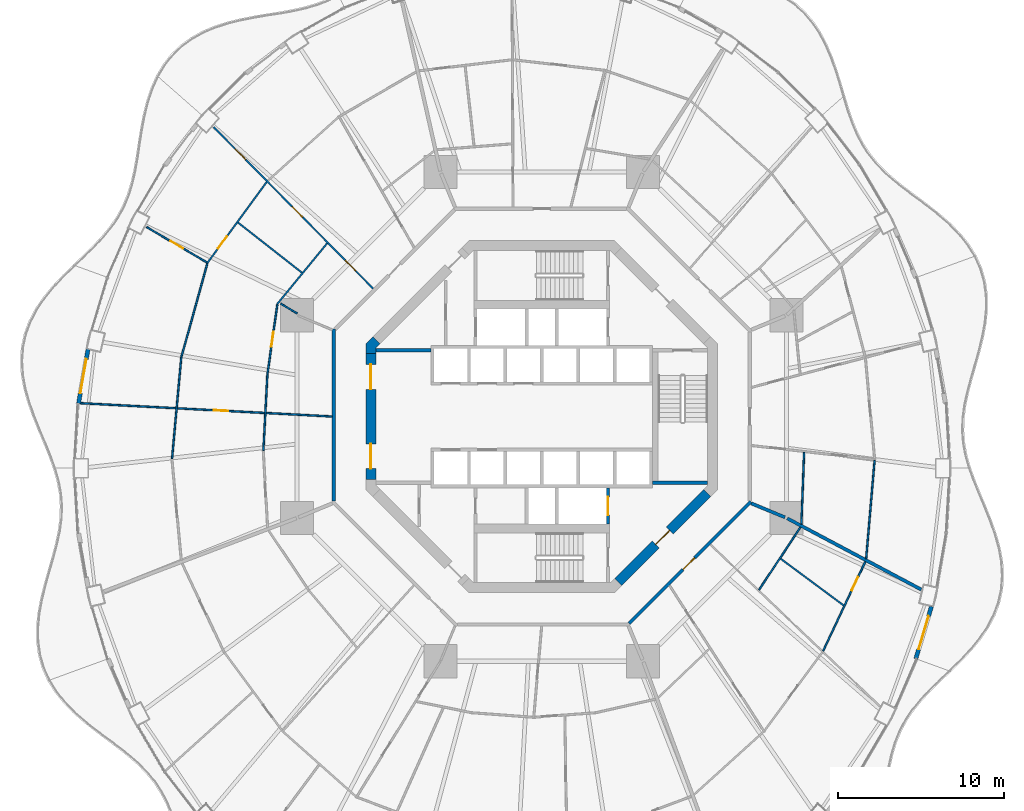
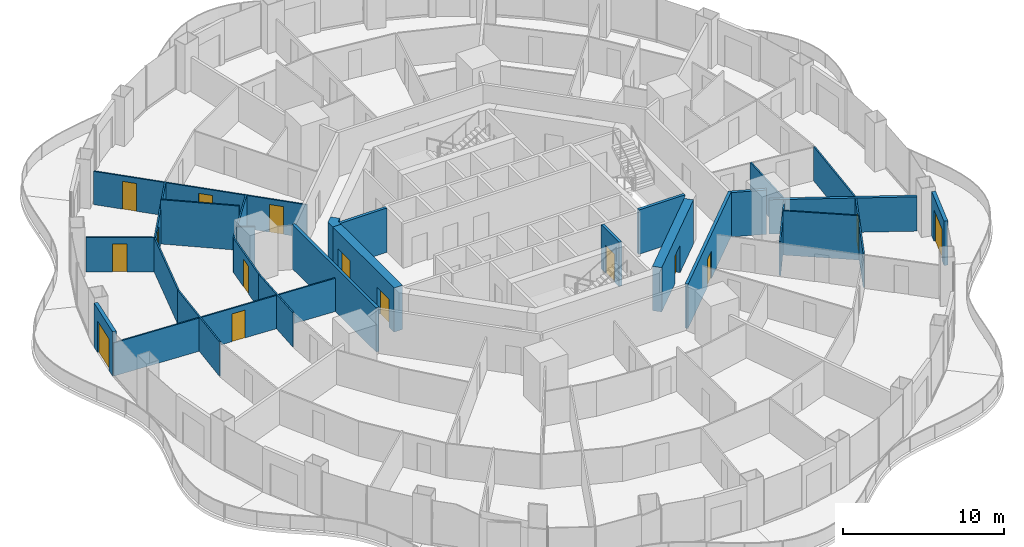
# One storey, part 15 of 21: 28 walls, 15 doors, 15 openings.
"""IFC4 building model written with IfcOpenShell, lengths in metres."""

from ifc_helpers import new_model, si_unit, direction, frame, frame_2d, origin, place, context, subcontext, project, spatial, polyline, rectangle, outline, extrude, material, layer, layer_set, type_object, element, fill, save


model = new_model("IFC4")

# Units and contexts
model_context = context("Model", 3, precision=1e-05, world=origin(), true_north=direction((0.0, 1.0)))
body_context = subcontext(model_context, "Body", "Model", "MODEL_VIEW")
ifc_project = project(units=[si_unit("LENGTHUNIT", "METRE"), si_unit("AREAUNIT", "SQUARE_METRE"), si_unit("VOLUMEUNIT", "CUBIC_METRE"), si_unit("PLANEANGLEUNIT", "RADIAN"), si_unit("MASSUNIT", "GRAM", prefix="KILO")], contexts=[model_context])

# Site, building, storey
site_placement = place(None, origin())
site = spatial("IfcSite", under=ifc_project, at=site_placement, CompositionType="ELEMENT")
building_placement = place(site_placement, origin())
building = spatial("IfcBuilding", under=site, at=building_placement, Name="Nagisa Residences", CompositionType="ELEMENT")
storey_placement = place(building_placement, frame((0.0, 0.0, 156.60009765625)))
storey = spatial("IfcBuildingStorey", under=building, at=storey_placement, Name="L39", CompositionType="ELEMENT", Elevation=156.60009765625)

# Walls
ifc_material_1 = material(Name="Gypsum board on steel studs", Category="steel")
ifc_layer_1 = layer(ifc_material_1, 0.199951171875)
ifc_layer_set_1 = layer_set([ifc_layer_1], Name="Apartment compartment wall EI60 200")
wall_type_1 = type_object("IfcWallType", Name="Apartment compartment wall EI60 200", PredefinedType="PARTITIONING", material=ifc_layer_set_1)
wall_1_placement = place(storey_placement, frame((12.6572265625, -5.24267578125, 0.0), z_axis=(0.0, 0.0, 1.0), x_axis=(0.923846436004, -0.382763324632, 0.0)))
element("IfcWall", 1, at=wall_1_placement, inside=storey, type_object=wall_type_1, Name="wall:L39:u10", PredefinedType="PARTITIONING", context=body_context, shape_type="SweptSolid", body=[
    extrude(rectangle(XDim=2.200439453125, YDim=0.199951171875, at=frame_2d((1.10009765625, 0.0))), origin(), (0.0, 0.0, 1.0), 3.349853515625),
])
wall_2_placement = place(storey_placement, frame((14.826171875, -6.146484375, 0.0), z_axis=(0.0, 0.0, 1.0), x_axis=(0.883012998471, -0.469348532044, 0.0)))
element("IfcWall", 2, at=wall_2_placement, inside=storey, type_object=wall_type_1, Name="wall:L39:u11", PredefinedType="PARTITIONING", context=body_context, shape_type="SweptSolid", body=[
    extrude(rectangle(XDim=9.172119140625, YDim=0.199951171875, at=frame_2d((4.5859375, 0.0))), origin(), (0.0, 0.0, 1.0), 2.596923828125),
])
ifc_material_2 = material(Name="Gypsum board on steel studs", Category="steel")
ifc_layer_2 = layer(ifc_material_2, 0.199951171875)
ifc_layer_set_2 = layer_set([ifc_layer_2], Name="Apartment entry wall EI60 200")
wall_type_2 = type_object("IfcWallType", Name="Apartment entry wall EI60 200", PredefinedType="PARTITIONING", material=ifc_layer_set_2)
wall_3_placement = place(storey_placement, frame((-12.564697265625, 5.304443359375, 0.0), z_axis=(0.0, 0.0, 1.0), x_axis=(0.0, -1.0, 0.0)))
element("IfcWall", 3, at=wall_3_placement, inside=storey, type_object=wall_type_2, Name="wall:L39:u16", PredefinedType="PARTITIONING", context=body_context, shape_type="SweptSolid", body=[
    extrude(rectangle(XDim=10.408935546875, YDim=0.199951171875, at=frame_2d((5.20458984375, 0.0))), origin(), (0.0, 0.0, 1.0), 3.349853515625),
])

# Wall, opening, door
wall_4_placement = place(storey_placement, frame((5.275146484375, -12.494140625, 0.0), z_axis=(0.0, 0.0, 1.0), x_axis=(0.707106781187, 0.707106781187, 0.0)))
wall_4 = element("IfcWall", 4, at=wall_4_placement, inside=storey, type_object=wall_type_2, Name="wall:L39:u19", PredefinedType="PARTITIONING", context=body_context, shape_type="SweptSolid", body=[
    extrude(rectangle(XDim=10.4091796875, YDim=0.199951171875, at=frame_2d((5.20458984375, 0.0))), origin(), (0.0, 0.0, 1.0), 3.349853515625),
])
opening_1_placement = place(wall_4_placement, frame((4.6044921875, 0.0, 0.0)))
opening_1 = element("IfcOpeningElement", 5, at=opening_1_placement, cuts=wall_4, Name="Opening L39-U01", PredefinedType="OPENING", context=body_context, shape_type="SweptSolid", body=[
    extrude(rectangle(XDim=1.0, YDim=2.10009765625, at=frame_2d((0.5, 1.050048828125))), frame((0.0, 0.10986328125, 0.0), z_axis=(0.0, -1.0, 0.0), x_axis=(1.0, 0.0, 0.0)), (0.0, 0.0, 1.0), 0.219970703125),
])
ifc_material_3 = material(Name="Timber fire door set", Category="wood")
door_type_1 = type_object("IfcDoorType", Name="Apartment entry door FD30S 1000x2100", OperationType="NOTDEFINED", PredefinedType="DOOR", material=ifc_material_3)
door_1_placement = place(opening_1_placement, frame((1.0, 0.0, 0.0), x_axis=(-1.0, 0.0, 0.0)))
door_1 = element("IfcDoor", 6, at=door_1_placement, inside=storey, type_object=door_type_1, Name="Entry door, Apartment 39A", OperationType="SINGLE_SWING_RIGHT", OverallHeight=2.10009765625, OverallWidth=1.0, PredefinedType="DOOR", context=body_context, shape_type="SweptSolid", body=[
    extrude(rectangle(XDim=1.0, YDim=2.10009765625, at=frame_2d((0.5, 1.050048828125))), frame((0.0, 0.02490234375, 0.0), z_axis=(0.0, -1.0, 0.0), x_axis=(1.0, 0.0, 0.0)), (0.0, 0.0, 1.0), 0.050048828125),
])
fill(opening_1, door_1)

# Walls
ifc_material_4 = material(Name="Gypsum board on steel studs", Category="steel")
ifc_layer_3 = layer(ifc_material_4, 0.10009765625)
ifc_layer_set_3 = layer_set([ifc_layer_3], Name="Apartment partition 100")
wall_type_3 = type_object("IfcWallType", Name="Apartment partition 100", PredefinedType="PARTITIONING", material=ifc_layer_set_3)
wall_5_placement = place(storey_placement, frame((15.848876953125, -2.158203125, 0.0), z_axis=(0.0, 0.0, 1.0), x_axis=(-0.03838348155, -0.999263082648, 0.0)))
element("IfcWall", 7, at=wall_5_placement, inside=storey, type_object=wall_type_3, Name="wall:L39:u21", PredefinedType="PARTITIONING", context=body_context, shape_type="SweptSolid", body=[
    extrude(rectangle(XDim=4.34423828125, YDim=0.10009765625, at=frame_2d((2.172119140625, 0.0))), origin(), (0.0, 0.0, 1.0), 2.596923828125),
])
wall_6_placement = place(storey_placement, frame((20.10595703125, -2.64208984375, 0.0), z_axis=(0.0, 0.0, 1.0), x_axis=(-0.085694058383, -0.996321498492, 0.0)))
element("IfcWall", 8, at=wall_6_placement, inside=storey, type_object=wall_type_3, Name="wall:L39:u23", PredefinedType="PARTITIONING", context=body_context, shape_type="SweptSolid", body=[
    extrude(rectangle(XDim=5.957275390625, YDim=0.10009765625, at=frame_2d((2.978515625, 0.0))), origin(), (0.0, 0.0, 1.0), 2.596923828125),
])

# Wall, openings, doors
wall_7_placement = place(storey_placement, frame((-10.181640625, 7.72900390625, 0.0), z_axis=(0.0, 0.0, 1.0), x_axis=(-0.702930219229, 0.7112588185, 0.0)))
wall_7 = element("IfcWall", 9, at=wall_7_placement, inside=storey, type_object=wall_type_3, Name="wall:L39:u47", PredefinedType="PARTITIONING", context=body_context, shape_type="SweptSolid", body=[
    extrude(rectangle(XDim=13.71875, YDim=0.10009765625, at=frame_2d((6.859375, 0.0))), origin(), (0.0, 0.0, 1.0), 2.514892578125),
])
opening_2_placement = place(wall_7_placement, frame((1.50732421875, 0.0, 0.0)))
opening_2 = element("IfcOpeningElement", 10, at=opening_2_placement, cuts=wall_7, Name="Opening L39-U34", PredefinedType="OPENING", context=body_context, shape_type="SweptSolid", body=[
    extrude(rectangle(XDim=0.89990234375, YDim=2.10009765625, at=frame_2d((0.449951171875, 1.050048828125))), frame((0.0, 0.06005859375, 0.0), z_axis=(0.0, -1.0, 0.0), x_axis=(1.0, 0.0, 0.0)), (0.0, 0.0, 1.0), 0.1201171875),
])
opening_3_placement = place(wall_7_placement, frame((6.066650390625, 0.0, 0.0)))
opening_3 = element("IfcOpeningElement", 11, at=opening_3_placement, cuts=wall_7, Name="Opening L39-U36", PredefinedType="OPENING", context=body_context, shape_type="SweptSolid", body=[
    extrude(rectangle(XDim=0.89990234375, YDim=2.10009765625, at=frame_2d((0.449951171875, 1.050048828125))), frame((0.0, 0.06005859375, 0.0), z_axis=(0.0, -1.0, 0.0), x_axis=(1.0, 0.0, 0.0)), (0.0, 0.0, 1.0), 0.1201171875),
])
opening_4_placement = place(wall_7_placement, frame((10.96875, 0.0, 0.0)))
opening_4 = element("IfcOpeningElement", 12, at=opening_4_placement, cuts=wall_7, Name="Opening L39-U38", PredefinedType="OPENING", context=body_context, shape_type="SweptSolid", body=[
    extrude(rectangle(XDim=0.89990234375, YDim=2.10009765625, at=frame_2d((0.449951171875, 1.050048828125))), frame((0.0, 0.06005859375, 0.0), z_axis=(0.0, -1.0, 0.0), x_axis=(1.0, 0.0, 0.0)), (0.0, 0.0, 1.0), 0.1201171875),
])
ifc_material_5 = material(Name="Timber door set", Category="wood")
door_type_2 = type_object("IfcDoorType", Name="Apartment door 900x2100", OperationType="NOTDEFINED", PredefinedType="DOOR", material=ifc_material_5)
door_2_placement = place(opening_2_placement, origin())
door_2 = element("IfcDoor", 13, at=door_2_placement, inside=storey, type_object=door_type_2, Name="Door to family bathroom, Apartment 39E", OperationType="SINGLE_SWING_RIGHT", OverallHeight=2.10009765625, OverallWidth=0.89990234375, PredefinedType="DOOR", context=body_context, shape_type="SweptSolid", body=[
    extrude(rectangle(XDim=0.89990234375, YDim=2.10009765625, at=frame_2d((0.449951171875, 1.050048828125))), frame((0.0, 0.02490234375, 0.0), z_axis=(0.0, -1.0, 0.0), x_axis=(1.0, 0.0, 0.0)), (0.0, 0.0, 1.0), 0.050048828125),
])
fill(opening_2, door_2)
door_3_placement = place(opening_3_placement, origin())
door_3 = element("IfcDoor", 14, at=door_3_placement, inside=storey, type_object=door_type_2, Name="Door to family bathroom, Apartment 39E", OperationType="SINGLE_SWING_RIGHT", OverallHeight=2.10009765625, OverallWidth=0.89990234375, PredefinedType="DOOR", context=body_context, shape_type="SweptSolid", body=[
    extrude(rectangle(XDim=0.89990234375, YDim=2.10009765625, at=frame_2d((0.449951171875, 1.050048828125))), frame((0.0, 0.02490234375, 0.0), z_axis=(0.0, -1.0, 0.0), x_axis=(1.0, 0.0, 0.0)), (0.0, 0.0, 1.0), 0.050048828125),
])
fill(opening_3, door_3)
door_4_placement = place(opening_4_placement, origin())
door_4 = element("IfcDoor", 15, at=door_4_placement, inside=storey, type_object=door_type_2, Name="Door to bedroom, Apartment 39E", OperationType="SINGLE_SWING_RIGHT", OverallHeight=2.10009765625, OverallWidth=0.89990234375, PredefinedType="DOOR", context=body_context, shape_type="SweptSolid", body=[
    extrude(rectangle(XDim=0.89990234375, YDim=2.10009765625, at=frame_2d((0.449951171875, 1.050048828125))), frame((0.0, 0.02490234375, 0.0), z_axis=(0.0, -1.0, 0.0), x_axis=(1.0, 0.0, 0.0)), (0.0, 0.0, 1.0), 0.050048828125),
])
fill(opening_4, door_4)

# Wall
wall_8_placement = place(storey_placement, frame((-12.965087890625, 10.474609375, 0.0), z_axis=(0.0, 0.0, 1.0), x_axis=(-0.634932102074, -0.772567942485, 0.0)))
element("IfcWall", 16, at=wall_8_placement, inside=storey, type_object=wall_type_3, Name="wall:L39:u48", PredefinedType="PARTITIONING", context=body_context, shape_type="SweptSolid", body=[
    extrude(rectangle(XDim=4.7822265625, YDim=0.10009765625, at=frame_2d((2.39111328125, 0.0))), origin(), (0.0, 0.0, 1.0), 2.596923828125),
])

# Wall, opening, door
wall_9_placement = place(storey_placement, frame((-16.620849609375, 14.17431640625, 0.0), z_axis=(0.0, 0.0, 1.0), x_axis=(-0.590672767272, -0.806911198338, 0.0)))
wall_9 = element("IfcWall", 17, at=wall_9_placement, inside=storey, type_object=wall_type_3, Name="wall:L39:u49", PredefinedType="PARTITIONING", context=body_context, shape_type="SweptSolid", body=[
    extrude(rectangle(XDim=6.09912109375, YDim=0.10009765625, at=frame_2d((3.049560546875, 0.0))), origin(), (0.0, 0.0, 1.0), 2.596923828125),
])
opening_5_placement = place(wall_9_placement, frame((4.07421875, 0.0, 0.0)))
opening_5 = element("IfcOpeningElement", 18, at=opening_5_placement, cuts=wall_9, Name="Opening L39-U40", PredefinedType="OPENING", context=body_context, shape_type="SweptSolid", body=[
    extrude(rectangle(XDim=0.89990234375, YDim=2.10009765625, at=frame_2d((0.449951171875, 1.050048828125))), frame((0.0, 0.06005859375, 0.0), z_axis=(0.0, -1.0, 0.0), x_axis=(1.0, 0.0, 0.0)), (0.0, 0.0, 1.0), 0.1201171875),
])
door_5_placement = place(opening_5_placement, origin())
door_5 = element("IfcDoor", 19, at=door_5_placement, inside=storey, type_object=door_type_2, Name="Door to dining room, Apartment 39E", OperationType="SINGLE_SWING_RIGHT", OverallHeight=2.10009765625, OverallWidth=0.89990234375, PredefinedType="DOOR", context=body_context, shape_type="SweptSolid", body=[
    extrude(rectangle(XDim=0.89990234375, YDim=2.10009765625, at=frame_2d((0.449951171875, 1.050048828125))), frame((0.0, 0.02490234375, 0.0), z_axis=(0.0, -1.0, 0.0), x_axis=(1.0, 0.0, 0.0)), (0.0, 0.0, 1.0), 0.050048828125),
])
fill(opening_5, door_5)

# Wall
wall_10_placement = place(storey_placement, frame((-14.490966796875, 8.69677734375, 0.0), z_axis=(0.0, 0.0, 1.0), x_axis=(-0.787139479951, 0.616775031193, 0.0)))
element("IfcWall", 20, at=wall_10_placement, inside=storey, type_object=wall_type_3, Name="wall:L39:u50", PredefinedType="PARTITIONING", context=body_context, shape_type="SweptSolid", body=[
    extrude(rectangle(XDim=4.90673828125, YDim=0.10009765625, at=frame_2d((2.453369140625, 0.0))), origin(), (0.0, 0.0, 1.0), 3.349853515625),
])

# Wall, opening, door
wall_11_placement = place(storey_placement, frame((-15.976806640625, 6.769287109375, 0.0), z_axis=(0.0, 0.0, 1.0), x_axis=(-0.140693592547, -0.990053186963, 0.0)))
wall_11 = element("IfcWall", 21, at=wall_11_placement, inside=storey, type_object=wall_type_3, Name="wall:L39:u52", PredefinedType="PARTITIONING", context=body_context, shape_type="SweptSolid", body=[
    extrude(rectangle(XDim=4.22705078125, YDim=0.10009765625, at=frame_2d((2.113525390625, 0.0))), origin(), (0.0, 0.0, 1.0), 2.596923828125),
])
opening_6_placement = place(wall_11_placement, frame((1.66357421875, 0.0, 0.0)))
opening_6 = element("IfcOpeningElement", 22, at=opening_6_placement, cuts=wall_11, Name="Opening L39-U43", PredefinedType="OPENING", context=body_context, shape_type="SweptSolid", body=[
    extrude(rectangle(XDim=0.89990234375, YDim=2.10009765625, at=frame_2d((0.449951171875, 1.050048828125))), frame((0.0, 0.06005859375, 0.0), z_axis=(0.0, -1.0, 0.0), x_axis=(1.0, 0.0, 0.0)), (0.0, 0.0, 1.0), 0.1201171875),
])
door_6_placement = place(opening_6_placement, origin())
door_6 = element("IfcDoor", 23, at=door_6_placement, inside=storey, type_object=door_type_2, Name="Door to store, Apartment 39E", OperationType="SINGLE_SWING_LEFT", OverallHeight=2.10009765625, OverallWidth=0.89990234375, PredefinedType="DOOR", context=body_context, shape_type="SweptSolid", body=[
    extrude(rectangle(XDim=0.89990234375, YDim=2.10009765625, at=frame_2d((0.449951171875, 1.050048828125))), frame((0.0, 0.02490234375, 0.0), z_axis=(0.0, -1.0, 0.0), x_axis=(1.0, 0.0, 0.0)), (0.0, 0.0, 1.0), 0.050048828125),
])
fill(opening_6, door_6)

wall_12_placement = place(storey_placement, frame((-20.237060546875, 9.318603515625, 0.0), z_axis=(0.0, 0.0, 1.0), x_axis=(-0.862867843769, 0.505429603593, 0.0)))
wall_12 = element("IfcWall", 24, at=wall_12_placement, inside=storey, type_object=wall_type_3, Name="wall:L39:u53", PredefinedType="PARTITIONING", context=body_context, shape_type="SweptSolid", body=[
    extrude(rectangle(XDim=4.215087890625, YDim=0.10009765625, at=frame_2d((2.107421875, 0.0))), origin(), (0.0, 0.0, 1.0), 2.596923828125),
])
opening_7_placement = place(wall_12_placement, frame((1.65771484375, 0.0, 0.0)))
opening_7 = element("IfcOpeningElement", 25, at=opening_7_placement, cuts=wall_12, Name="Opening L39-U39", PredefinedType="OPENING", context=body_context, shape_type="SweptSolid", body=[
    extrude(rectangle(XDim=0.89990234375, YDim=2.10009765625, at=frame_2d((0.449951171875, 1.050048828125))), frame((0.0, 0.06005859375, 0.0), z_axis=(0.0, -1.0, 0.0), x_axis=(1.0, 0.0, 0.0)), (0.0, 0.0, 1.0), 0.1201171875),
])
door_7_placement = place(opening_7_placement, origin())
door_7 = element("IfcDoor", 26, at=door_7_placement, inside=storey, type_object=door_type_2, Name="Door to master bedroom, Apartment 39E", OperationType="SINGLE_SWING_LEFT", OverallHeight=2.10009765625, OverallWidth=0.89990234375, PredefinedType="DOOR", context=body_context, shape_type="SweptSolid", body=[
    extrude(rectangle(XDim=0.89990234375, YDim=2.10009765625, at=frame_2d((0.449951171875, 1.050048828125))), frame((0.0, 0.02490234375, 0.0), z_axis=(0.0, -1.0, 0.0), x_axis=(1.0, 0.0, 0.0)), (0.0, 0.0, 1.0), 0.050048828125),
])
fill(opening_7, door_7)

# Walls
wall_13_placement = place(storey_placement, frame((-20.207275390625, 9.2451171875, 0.0), z_axis=(0.0, 0.0, 1.0), x_axis=(-0.267400122135, -0.963585582438, 0.0)))
element("IfcWall", 27, at=wall_13_placement, inside=storey, type_object=wall_type_3, Name="wall:L39:u54", PredefinedType="PARTITIONING", context=body_context, shape_type="SweptSolid", body=[
    extrude(rectangle(XDim=5.837890625, YDim=0.10009765625, at=frame_2d((2.9189453125, 0.0))), origin(), (0.0, 0.0, 1.0), 2.596923828125),
])
wall_14_placement = place(storey_placement, frame((-16.575927734375, 2.584716796875, 0.0), z_axis=(0.0, 0.0, 1.0), x_axis=(-0.052509224895, -0.998620439056, 0.0)))
element("IfcWall", 28, at=wall_14_placement, inside=storey, type_object=wall_type_3, Name="wall:L39:u55", PredefinedType="PARTITIONING", context=body_context, shape_type="SweptSolid", body=[
    extrude(rectangle(XDim=4.6494140625, YDim=0.10009765625, at=frame_2d((2.32470703125, 0.0))), origin(), (0.0, 0.0, 1.0), 2.596923828125),
])
wall_15_placement = place(storey_placement, frame((-21.777099609375, 3.621337890625, 0.0), z_axis=(0.0, 0.0, 1.0), x_axis=(-0.090606877484, -0.995886737412, 0.0)))
element("IfcWall", 29, at=wall_15_placement, inside=storey, type_object=wall_type_3, Name="wall:L39:u56", PredefinedType="PARTITIONING", context=body_context, shape_type="SweptSolid", body=[
    extrude(rectangle(XDim=6.189208984375, YDim=0.10009765625, at=frame_2d((3.0947265625, 0.0))), origin(), (0.0, 0.0, 1.0), 2.596923828125),
])

# Wall, opening, door
wall_16_placement = place(storey_placement, frame((-12.66455078125, 0.00537109375, 0.0), z_axis=(0.0, 0.0, 1.0), x_axis=(-0.998599229025, 0.052911055468, 0.0)))
wall_16 = element("IfcWall", 30, at=wall_16_placement, inside=storey, type_object=wall_type_3, Name="wall:L39:u57", PredefinedType="PARTITIONING", context=body_context, shape_type="SweptSolid", body=[
    extrude(rectangle(XDim=15.42529296875, YDim=0.10009765625, at=frame_2d((7.712646484375, 0.0))), origin(), (0.0, 0.0, 1.0), 2.514892578125),
])
opening_8_placement = place(wall_16_placement, frame((6.275634765625, 0.0, 0.0)))
opening_8 = element("IfcOpeningElement", 31, at=opening_8_placement, cuts=wall_16, Name="Opening L39-U41", PredefinedType="OPENING", context=body_context, shape_type="SweptSolid", body=[
    extrude(rectangle(XDim=0.89990234375, YDim=2.10009765625, at=frame_2d((0.449951171875, 1.050048828125))), frame((0.0, 0.06005859375, 0.0), z_axis=(0.0, -1.0, 0.0), x_axis=(1.0, 0.0, 0.0)), (0.0, 0.0, 1.0), 0.1201171875),
])
door_8_placement = place(opening_8_placement, origin())
door_8 = element("IfcDoor", 32, at=door_8_placement, inside=storey, type_object=door_type_2, Name="Door to kitchen, Apartment 39E", OperationType="SINGLE_SWING_LEFT", OverallHeight=2.10009765625, OverallWidth=0.89990234375, PredefinedType="DOOR", context=body_context, shape_type="SweptSolid", body=[
    extrude(rectangle(XDim=0.89990234375, YDim=2.10009765625, at=frame_2d((0.449951171875, 1.050048828125))), frame((0.0, 0.02490234375, 0.0), z_axis=(0.0, -1.0, 0.0), x_axis=(1.0, 0.0, 0.0)), (0.0, 0.0, 1.0), 0.050048828125),
])
fill(opening_8, door_8)

# Wall
wall_17_placement = place(storey_placement, frame((13.12744140625, -10.466552734375, 0.0), z_axis=(0.0, 0.0, 1.0), x_axis=(0.550591551401, 0.83477478611, 0.0)))
element("IfcWall", 33, at=wall_17_placement, inside=storey, type_object=wall_type_3, Name="wall:L39:u88", PredefinedType="PARTITIONING", context=body_context, shape_type="SweptSolid", body=[
    extrude(rectangle(XDim=4.532470703125, YDim=0.10009765625, at=frame_2d((2.26611328125, 0.0))), origin(), (0.0, 0.0, 1.0), 2.596923828125),
])

# Wall, opening, door
wall_18_placement = place(storey_placement, frame((16.995361328125, -14.158203125, 0.0), z_axis=(0.0, 0.0, 1.0), x_axis=(0.427436809038, 0.904045228005, 0.0)))
wall_18 = element("IfcWall", 34, at=wall_18_placement, inside=storey, type_object=wall_type_3, Name="wall:L39:u89", PredefinedType="PARTITIONING", context=body_context, shape_type="SweptSolid", body=[
    extrude(rectangle(XDim=5.963134765625, YDim=0.10009765625, at=frame_2d((2.9814453125, 0.0))), origin(), (0.0, 0.0, 1.0), 2.596923828125),
])
opening_9_placement = place(wall_18_placement, frame((4.034912109375, 0.0, 0.0)))
opening_9 = element("IfcOpeningElement", 35, at=opening_9_placement, cuts=wall_18, Name="Opening L39-U08", PredefinedType="OPENING", context=body_context, shape_type="SweptSolid", body=[
    extrude(rectangle(XDim=0.89990234375, YDim=2.10009765625, at=frame_2d((0.449951171875, 1.050048828125))), frame((0.0, 0.06005859375, 0.0), z_axis=(0.0, -1.0, 0.0), x_axis=(1.0, 0.0, 0.0)), (0.0, 0.0, 1.0), 0.1201171875),
])
door_9_placement = place(opening_9_placement, origin())
door_9 = element("IfcDoor", 36, at=door_9_placement, inside=storey, type_object=door_type_2, Name="Door to en-suite bathroom, Apartment 39A", OperationType="SINGLE_SWING_RIGHT", OverallHeight=2.10009765625, OverallWidth=0.89990234375, PredefinedType="DOOR", context=body_context, shape_type="SweptSolid", body=[
    extrude(rectangle(XDim=0.89990234375, YDim=2.10009765625, at=frame_2d((0.449951171875, 1.050048828125))), frame((0.0, 0.02490234375, 0.0), z_axis=(0.0, -1.0, 0.0), x_axis=(1.0, 0.0, 0.0)), (0.0, 0.0, 1.0), 0.050048828125),
])
fill(opening_9, door_9)

# Walls
wall_19_placement = place(storey_placement, frame((14.42919921875, -8.58349609375, 0.0), z_axis=(0.0, 0.0, 1.0), x_axis=(0.803162355549, -0.595760212358, 0.0)))
element("IfcWall", 37, at=wall_19_placement, inside=storey, type_object=wall_type_3, Name="wall:L39:u90", PredefinedType="PARTITIONING", context=body_context, shape_type="SweptSolid", body=[
    extrude(rectangle(XDim=4.7451171875, YDim=0.10009765625, at=frame_2d((2.37255859375, 0.0))), origin(), (0.0, 0.0, 1.0), 3.349853515625),
])
wall_20_placement = place(storey_placement, frame((-14.772216796875, 6.233154296875, 0.0), z_axis=(0.0, 0.0, 1.0), x_axis=(-0.862824428323, 0.50550371501, 0.0)))
element("IfcWall", 38, at=wall_20_placement, inside=storey, type_object=wall_type_3, Name="wall:L39:u91", PredefinedType="PARTITIONING", context=body_context, shape_type="SweptSolid", body=[
    extrude(rectangle(XDim=1.16162109375, YDim=0.10009765625, at=frame_2d((0.580810546875, 0.0))), origin(), (0.0, 0.0, 1.0), 3.349853515625),
])

# Wall, opening, door
ifc_material_6 = material(Name="Precast concrete C40/50", Category="concrete")
ifc_layer_4 = layer(ifc_material_6, 0.25)
ifc_layer_set_4 = layer_set([ifc_layer_4], Name="BALCONY DOOR WALL 250")
wall_type_4 = type_object("IfcWallType", Name="BALCONY DOOR WALL 250", PredefinedType="SOLIDWALL", material=ifc_layer_set_4)
wall_21_placement = place(storey_placement, frame((-27.98486328125, 0.802001953125, 0.0), z_axis=(0.0, 0.0, 1.0), x_axis=(0.172163521006, 0.985068384446, 0.0)))
wall_21 = element("IfcWall", 39, at=wall_21_placement, inside=storey, type_object=wall_type_4, Name="wall:L39:bay22", PredefinedType="SOLIDWALL", context=body_context, shape_type="SweptSolid", body=[
    extrude(rectangle(XDim=3.33251953125, YDim=0.25, at=frame_2d((1.666259765625, 0.0))), origin(), (0.0, 0.0, 1.0), 3.349853515625),
])
opening_10_placement = place(wall_21_placement, frame((0.6162109375, 0.0, 0.0)))
opening_10 = element("IfcOpeningElement", 40, at=opening_10_placement, cuts=wall_21, Name="Opening BD-L39-08", PredefinedType="OPENING", context=body_context, shape_type="SweptSolid", body=[
    extrude(rectangle(XDim=2.10009765625, YDim=2.39990234375, at=frame_2d((1.050048828125, 1.199951171875))), frame((0.0, 0.135009765625, 0.0), z_axis=(0.0, -1.0, 0.0), x_axis=(1.0, 0.0, 0.0)), (0.0, 0.0, 1.0), 0.27001953125),
])
ifc_material_7 = material(Name="Aluminium and clear glass", Category="aluminium")
door_type_3 = type_object("IfcDoorType", Name="BALCONY SLIDING DOOR 2100x2400", OperationType="SLIDING_TO_LEFT", PredefinedType="DOOR", material=ifc_material_7)
door_10_placement = place(opening_10_placement, origin())
door_10 = element("IfcDoor", 41, at=door_10_placement, inside=storey, type_object=door_type_3, Name="door:L39:bay22", OperationType="SLIDING_TO_LEFT", OverallHeight=2.39990234375, OverallWidth=2.10009765625, PredefinedType="DOOR", context=body_context, shape_type="SweptSolid", body=[
    extrude(rectangle(XDim=2.10009765625, YDim=2.39990234375, at=frame_2d((1.050048828125, 1.199951171875))), frame((0.0, 0.02490234375, 0.0), z_axis=(0.0, -1.0, 0.0), x_axis=(1.0, 0.0, 0.0)), (0.0, 0.0, 1.0), 0.050048828125),
])
fill(opening_10, door_10)

wall_22_placement = place(storey_placement, frame((23.53955078125, -11.471923828125, 0.0), z_axis=(0.0, 0.0, 1.0), x_axis=(-0.285821792767, -0.958282788523, 0.0)))
wall_22 = element("IfcWall", 42, at=wall_22_placement, inside=storey, type_object=wall_type_4, Name="wall:L39:bay45", PredefinedType="SOLIDWALL", context=body_context, shape_type="SweptSolid", body=[
    extrude(rectangle(XDim=3.302978515625, YDim=0.25, at=frame_2d((1.6513671875, 0.0))), origin(), (0.0, 0.0, 1.0), 3.349853515625),
])
opening_11_placement = place(wall_22_placement, frame((0.6015625, 0.0, 0.0)))
opening_11 = element("IfcOpeningElement", 43, at=opening_11_placement, cuts=wall_22, Name="Opening BD-L39-16", PredefinedType="OPENING", context=body_context, shape_type="SweptSolid", body=[
    extrude(rectangle(XDim=2.10009765625, YDim=2.39990234375, at=frame_2d((1.050048828125, 1.199951171875))), frame((0.0, 0.135009765625, 0.0), z_axis=(0.0, -1.0, 0.0), x_axis=(1.0, 0.0, 0.0)), (0.0, 0.0, 1.0), 0.27001953125),
])
door_11_placement = place(opening_11_placement, origin())
door_11 = element("IfcDoor", 44, at=door_11_placement, inside=storey, type_object=door_type_3, Name="door:L39:bay45", OperationType="SLIDING_TO_LEFT", OverallHeight=2.39990234375, OverallWidth=2.10009765625, PredefinedType="DOOR", context=body_context, shape_type="SweptSolid", body=[
    extrude(rectangle(XDim=2.10009765625, YDim=2.39990234375, at=frame_2d((1.050048828125, 1.199951171875))), frame((0.0, 0.02490234375, 0.0), z_axis=(0.0, -1.0, 0.0), x_axis=(1.0, 0.0, 0.0)), (0.0, 0.0, 1.0), 0.050048828125),
])
fill(opening_11, door_11)

# Wall
ifc_material_8 = material(Name="Gypsum board on steel studs", Category="steel")
ifc_layer_5 = layer(ifc_material_8, 0.199951171875)
ifc_layer_set_5 = layer_set([ifc_layer_5], Name="Core partition 200")
wall_type_5 = type_object("IfcWallType", Name="Core partition 200", PredefinedType="PARTITIONING", material=ifc_layer_set_5)
wall_23_placement = place(storey_placement, frame((-10.024658203125, 4.0, 0.0), z_axis=(0.0, 0.0, 1.0), x_axis=(1.0, 0.0, 0.0)))
element("IfcWall", 45, at=wall_23_placement, inside=storey, type_object=wall_type_5, Name="wall:L39:PNW", PredefinedType="PARTITIONING", context=body_context, shape_type="SweptSolid", body=[
    extrude(rectangle(XDim=3.32470703125, YDim=0.199951171875, at=frame_2d((1.662353515625, 0.0))), origin(), (0.0, 0.0, 1.0), 3.349853515625),
])

# Wall, openings, doors
ifc_material_9 = material(Name="Concrete C60", Category="concrete")
ifc_layer_6 = layer(ifc_material_9, 0.60009765625)
ifc_layer_set_6 = layer_set([ifc_layer_6], Name="Core shear wall 600")
wall_type_6 = type_object("IfcWallType", Name="Core shear wall 600", PredefinedType="SHEAR", material=ifc_layer_set_6)
wall_24_placement = place(storey_placement, frame((-10.32470703125, 3.80078125, 0.0), z_axis=(0.0, 0.0, 1.0), x_axis=(0.0, -1.0, 0.0)))
wall_24 = element("IfcWall", 46, at=wall_24_placement, inside=storey, type_object=wall_type_6, Name="wall:L39:core:flat4", PredefinedType="SHEAR", context=body_context, shape_type="SweptSolid", body=[
    extrude(rectangle(XDim=7.6015625, YDim=0.60009765625, at=frame_2d((3.80078125, 0.0))), origin(), (0.0, 0.0, 1.0), 3.349853515625),
])
opening_12_placement = place(wall_24_placement, frame((0.65087890625, 0.0, 0.0)))
opening_12 = element("IfcOpeningElement", 47, at=opening_12_placement, cuts=wall_24, Name="Opening L39-C17", PredefinedType="OPENING", context=body_context, shape_type="SweptSolid", body=[
    extrude(rectangle(XDim=1.5, YDim=2.10009765625, at=frame_2d((0.75, 1.050048828125))), frame((0.0, 0.31005859375, 0.0), z_axis=(0.0, -1.0, 0.0), x_axis=(1.0, 0.0, 0.0)), (0.0, 0.0, 1.0), 0.6201171875),
])
opening_13_placement = place(wall_24_placement, frame((5.450927734375, 0.0, 0.0)))
opening_13 = element("IfcOpeningElement", 48, at=opening_13_placement, cuts=wall_24, Name="Opening L39-C18", PredefinedType="OPENING", context=body_context, shape_type="SweptSolid", body=[
    extrude(rectangle(XDim=1.5, YDim=2.10009765625, at=frame_2d((0.75, 1.050048828125))), frame((0.0, 0.31005859375, 0.0), z_axis=(0.0, -1.0, 0.0), x_axis=(1.0, 0.0, 0.0)), (0.0, 0.0, 1.0), 0.6201171875),
])
ifc_material_10 = material(Name="Steel fire door", Category="steel")
door_type_4 = type_object("IfcDoorType", Name="Fire door EI60 1500x2100 double door single swing", OperationType="DOUBLE_DOOR_SINGLE_SWING", PredefinedType="DOOR", material=ifc_material_10)
door_12_placement = place(opening_12_placement, origin())
door_12 = element("IfcDoor", 49, at=door_12_placement, inside=storey, type_object=door_type_4, Name="Lift lobby door L39 1", OperationType="DOUBLE_DOOR_SINGLE_SWING", OverallHeight=2.10009765625, OverallWidth=1.5, PredefinedType="DOOR", context=body_context, shape_type="SweptSolid", body=[
    extrude(rectangle(XDim=1.5, YDim=2.10009765625, at=frame_2d((0.75, 1.050048828125))), frame((0.0, 0.02490234375, 0.0), z_axis=(0.0, -1.0, 0.0), x_axis=(1.0, 0.0, 0.0)), (0.0, 0.0, 1.0), 0.050048828125),
])
fill(opening_12, door_12)
door_13_placement = place(opening_13_placement, origin())
door_13 = element("IfcDoor", 50, at=door_13_placement, inside=storey, type_object=door_type_4, Name="Lift lobby door L39 2", OperationType="DOUBLE_DOOR_SINGLE_SWING", OverallHeight=2.10009765625, OverallWidth=1.5, PredefinedType="DOOR", context=body_context, shape_type="SweptSolid", body=[
    extrude(rectangle(XDim=1.5, YDim=2.10009765625, at=frame_2d((0.75, 1.050048828125))), frame((0.0, 0.02490234375, 0.0), z_axis=(0.0, -1.0, 0.0), x_axis=(1.0, 0.0, 0.0)), (0.0, 0.0, 1.0), 0.050048828125),
])
fill(opening_13, door_13)

# Wall, opening, door
wall_25_placement = place(storey_placement, frame((4.613037109375, -9.98828125, 0.0), z_axis=(0.0, 0.0, 1.0), x_axis=(0.707106781187, 0.707106781187, 0.0)))
wall_25 = element("IfcWall", 51, at=wall_25_placement, inside=storey, type_object=wall_type_6, Name="wall:L39:core:flat7", PredefinedType="SHEAR", context=body_context, shape_type="SweptSolid", body=[
    extrude(rectangle(XDim=7.601806640625, YDim=0.60009765625, at=frame_2d((3.80078125, 0.0))), origin(), (0.0, 0.0, 1.0), 3.349853515625),
])
opening_14_placement = place(wall_25_placement, frame((3.200927734375, 0.0, 0.0)))
opening_14 = element("IfcOpeningElement", 52, at=opening_14_placement, cuts=wall_25, Name="Opening L39-C16", PredefinedType="OPENING", context=body_context, shape_type="SweptSolid", body=[
    extrude(rectangle(XDim=1.199951171875, YDim=2.10009765625, at=frame_2d((0.60009765625, 1.050048828125))), frame((0.0, 0.31005859375, 0.0), z_axis=(0.0, -1.0, 0.0), x_axis=(1.0, 0.0, 0.0)), (0.0, 0.0, 1.0), 0.6201171875),
])
ifc_material_11 = material(Name="Steel fire door", Category="steel")
door_type_5 = type_object("IfcDoorType", Name="Fire door EI60 1200x2100 single swing", OperationType="NOTDEFINED", PredefinedType="DOOR", material=ifc_material_11)
door_14_placement = place(opening_14_placement, origin())
door_14 = element("IfcDoor", 53, at=door_14_placement, inside=storey, type_object=door_type_5, Name="Firefighting lobby 2 door L39", OperationType="SINGLE_SWING_LEFT", OverallHeight=2.10009765625, OverallWidth=1.199951171875, PredefinedType="DOOR", context=body_context, shape_type="SweptSolid", body=[
    extrude(rectangle(XDim=1.199951171875, YDim=2.10009765625, at=frame_2d((0.60009765625, 1.050048828125))), frame((0.0, 0.02490234375, 0.0), z_axis=(0.0, -1.0, 0.0), x_axis=(1.0, 0.0, 0.0)), (0.0, 0.0, 1.0), 0.050048828125),
])
fill(opening_14, door_14)

# Wall
wall_26_placement = place(storey_placement, origin())
element("IfcWall", 54, at=wall_26_placement, inside=storey, type_object=wall_type_6, Name="wall:L39:core:pier3", PredefinedType="SHEAR", context=body_context, shape_type="SweptSolid", body=[
    extrude(outline(polyline([(-10.200439453125, 4.8251953125), (-9.776123046875, 4.40087890625), (-10.024658203125, 4.15234375), (-10.024658203125, 3.80078125), (-10.62451171875, 3.80078125), (-10.62451171875, 4.40087890625), (-10.200439453125, 4.8251953125)])), origin(), (0.0, 0.0, 1.0), 3.349853515625),
])

# Wall, opening, door
ifc_material_12 = material(Name="Concrete C60", Category="concrete")
ifc_layer_7 = layer(ifc_material_12, 0.199951171875)
ifc_layer_set_7 = layer_set([ifc_layer_7], Name="Lift shaft wall 200")
wall_type_7 = type_object("IfcWallType", Name="Lift shaft wall 200", PredefinedType="SOLIDWALL", material=ifc_layer_set_7)
wall_27_placement = place(storey_placement, frame((4.0, -6.5, 0.0), z_axis=(0.0, 0.0, 1.0), x_axis=(0.0, 1.0, 0.0)))
wall_27 = element("IfcWall", 55, at=wall_27_placement, inside=storey, type_object=wall_type_7, Name="wall:L39:Sb3", PredefinedType="SOLIDWALL", context=body_context, shape_type="SweptSolid", body=[
    extrude(rectangle(XDim=2.199951171875, YDim=0.199951171875, at=frame_2d((1.10009765625, 0.0))), origin(), (0.0, 0.0, 1.0), 3.349853515625),
])
opening_15_placement = place(wall_27_placement, frame((0.550048828125, 0.0, 0.0)))
opening_15 = element("IfcOpeningElement", 56, at=opening_15_placement, cuts=wall_27, Name="Opening L39-C07", PredefinedType="OPENING", context=body_context, shape_type="SweptSolid", body=[
    extrude(rectangle(XDim=1.10009765625, YDim=2.10009765625, at=frame_2d((0.550048828125, 1.050048828125))), frame((0.0, 0.10986328125, 0.0), z_axis=(0.0, -1.0, 0.0), x_axis=(1.0, 0.0, 0.0)), (0.0, 0.0, 1.0), 0.219970703125),
])
ifc_material_13 = material(Name="Stainless steel", Category="steel")
door_type_6 = type_object("IfcDoorType", Name="Lift landing door 1100x2100", OperationType="DOUBLE_DOOR_SLIDING", PredefinedType="DOOR", material=ifc_material_13)
door_15_placement = place(opening_15_placement, origin())
door_15 = element("IfcDoor", 57, at=door_15_placement, inside=storey, type_object=door_type_6, Name="Landing door FL2 L39", OperationType="DOUBLE_DOOR_SLIDING", OverallHeight=2.10009765625, OverallWidth=1.10009765625, PredefinedType="DOOR", context=body_context, shape_type="SweptSolid", body=[
    extrude(rectangle(XDim=1.10009765625, YDim=2.10009765625, at=frame_2d((0.550048828125, 1.050048828125))), frame((0.0, 0.02490234375, 0.0), z_axis=(0.0, -1.0, 0.0), x_axis=(1.0, 0.0, 0.0)), (0.0, 0.0, 1.0), 0.050048828125),
])
fill(opening_15, door_15)

# Wall
ifc_material_14 = material(Name="Concrete C60", Category="concrete")
ifc_layer_8 = layer(ifc_material_14, 0.199951171875)
ifc_layer_set_8 = layer_set([ifc_layer_8], Name="Stair enclosure wall 200")
wall_type_8 = type_object("IfcWallType", Name="Stair enclosure wall 200", PredefinedType="SOLIDWALL", material=ifc_layer_set_8)
wall_28_placement = place(storey_placement, origin())
element("IfcWall", 58, at=wall_28_placement, inside=storey, type_object=wall_type_8, Name="wall:L39:SE_s", PredefinedType="SOLIDWALL", context=body_context, shape_type="SweptSolid", body=[
    extrude(outline(polyline([(10.024658203125, -4.10009765625), (6.699951171875, -4.10009765625), (6.699951171875, -3.89990234375), (10.024658203125, -3.89990234375), (10.024658203125, -4.10009765625)])), origin(), (0.0, 0.0, 1.0), 3.349853515625),
])

save(model, "model.ifc")
